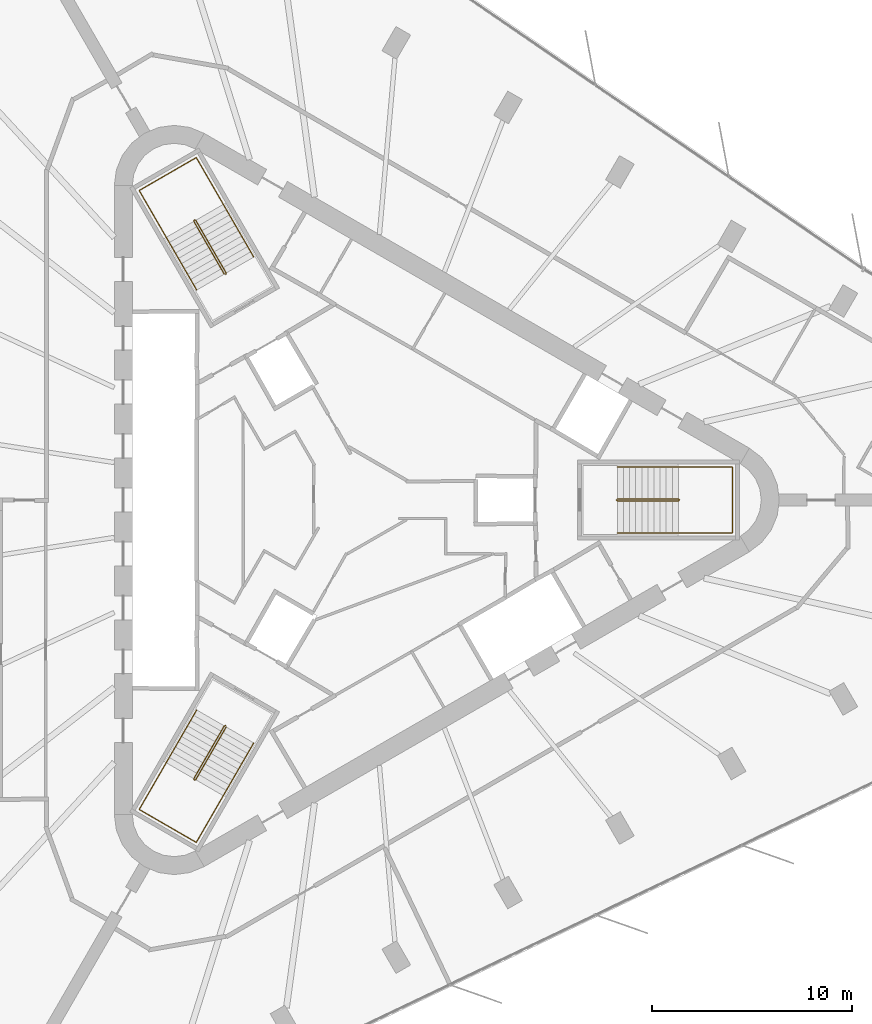
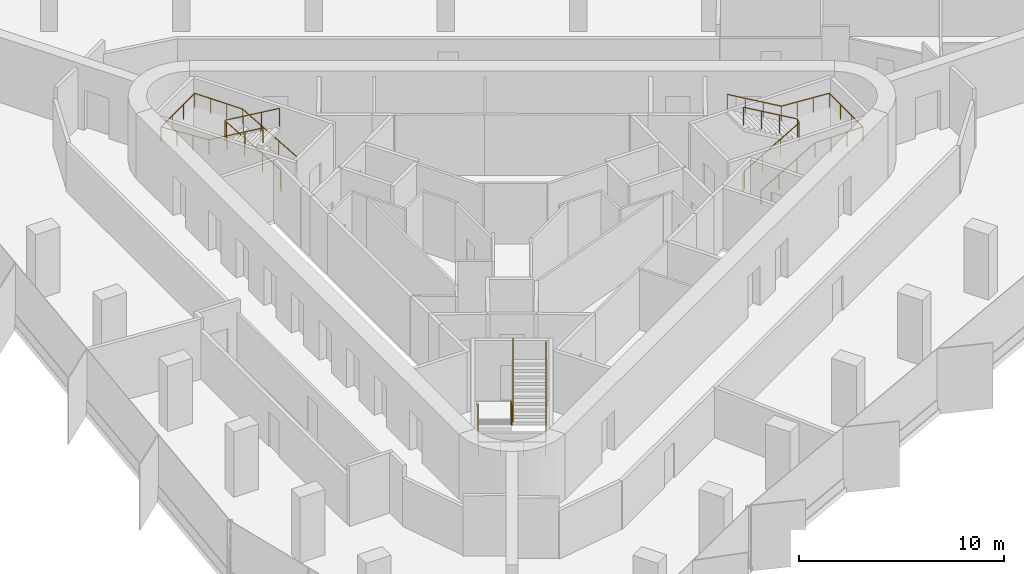
# One storey, part 14 of 14: 6 railings.
"""IFC4 building model written with IfcOpenShell, lengths in metres."""

import ifcopenshell
import ifcopenshell.guid

model = None  # the IFC model being written
_history = None  # IfcOwnerHistory: only IFC2X3 demands one
_inside = {}  # id of a spatial element -> (the spatial element, [elements in it])
_under = {}  # id of a project, library or spatial element -> (it, [spatial elements below it])
_declared = {}  # id of a project -> (the project, [libraries it declares])
_typed = {}  # id of a type object -> (the type object, [elements of that type])
_made_of = {}  # id of a material, layer set ... -> (it, [elements and type objects made of it])


def new_model(schema):
    """Start an empty IFC model of exactly this schema.

    Asked for "IFC4X3", IfcOpenShell would pick the latest addendum, in which some entities
    have other attributes; the version numbers below select the first issue.
    IFC2X3 requires an IfcOwnerHistory on every rooted entity: one is made here for all.
    """
    global model, _history
    if schema == "IFC4X3":
        model = ifcopenshell.file(schema_version=(4, 3, 0, 0))
    else:
        model = ifcopenshell.file(schema=schema)
    _inside.clear()
    _under.clear()
    _declared.clear()
    _typed.clear()
    _made_of.clear()
    _history = None
    if model.schema == "IFC2X3":
        org = make("IfcOrganization", Name="unknown")
        user = make(
            "IfcPersonAndOrganization",
            ThePerson=make("IfcPerson", FamilyName="unknown"),
            TheOrganization=org,
        )
        app = make(
            "IfcApplication",
            ApplicationDeveloper=org,
            Version="unknown",
            ApplicationFullName="unknown",
            ApplicationIdentifier="unknown",
        )
        _history = make(
            "IfcOwnerHistory",
            OwningUser=user,
            OwningApplication=app,
            ChangeAction="ADDED",
            CreationDate=0,
        )
    return model


def make(cls, **values):
    """One entity of the class cls with the attributes given. An attribute that is None is left unset."""
    return model.create_entity(
        cls, **{name: value for name, value in values.items() if value is not None}
    )


def rooted(cls, **values):
    """An entity with a GlobalId (a new one), such as an element, a storey or a relation."""
    return make(cls, GlobalId=ifcopenshell.guid.new(), OwnerHistory=_history, **values)


def si_unit(unit_type, name, prefix=None):
    """IfcSIUnit, for example si_unit("LENGTHUNIT", "METRE", prefix="MILLI")."""
    return make("IfcSIUnit", UnitType=unit_type, Prefix=prefix, Name=name)


def assignment(units):
    """IfcUnitAssignment: the units of a project."""
    return None if units is None else make("IfcUnitAssignment", Units=units)


def point(xyz):
    """IfcCartesianPoint."""
    return None if xyz is None else make("IfcCartesianPoint", Coordinates=xyz)


def direction(xyz):
    """IfcDirection."""
    return None if xyz is None else make("IfcDirection", DirectionRatios=xyz)


def frame(location, z_axis=None, x_axis=None):
    """IfcAxis2Placement3D, a coordinate frame: its origin and axes. An axis left out is left unset."""
    return make(
        "IfcAxis2Placement3D",
        Location=point(location),
        Axis=direction(z_axis),
        RefDirection=direction(x_axis),
    )


def frame_2d(location, x_axis=None):
    """IfcAxis2Placement2D, a coordinate frame in the plane: its origin and x axis."""
    return make(
        "IfcAxis2Placement2D", Location=point(location), RefDirection=direction(x_axis)
    )


def origin():
    """The frame at (0, 0, 0) with its axes left unset."""
    return frame((0.0, 0.0, 0.0))


def origin_2d():
    """The frame at (0, 0) in the plane with its x axis left unset."""
    return frame_2d((0.0, 0.0))


def place(relative_to, where):
    """IfcLocalPlacement: puts the frame where relative to a parent placement (None: the world)."""
    return make(
        "IfcLocalPlacement", PlacementRelTo=relative_to, RelativePlacement=where
    )


def context(
    kind, dimensions, precision=None, world=None, true_north=None, identifier=None
):
    """IfcGeometricRepresentationContext, for example the 3D "Model" context."""
    return make(
        "IfcGeometricRepresentationContext",
        ContextIdentifier=identifier,
        ContextType=kind,
        CoordinateSpaceDimension=dimensions,
        Precision=precision,
        WorldCoordinateSystem=world,
        TrueNorth=true_north,
    )


def subcontext(parent, identifier, kind, view, scale=None):
    """IfcGeometricRepresentationSubContext, for example "Body" below "Model"."""
    return make(
        "IfcGeometricRepresentationSubContext",
        ContextIdentifier=identifier,
        ContextType=kind,
        ParentContext=parent,
        TargetScale=scale,
        TargetView=view,
    )


def project(units=None, contexts=None):
    """IfcProject with its units and contexts."""
    return rooted(
        "IfcProject",
        Name="project",
        RepresentationContexts=contexts,
        UnitsInContext=assignment(units),
    )


def spatial(cls, under=None, at=None, **own):
    """A site, building, storey or space (cls), placed at a placement, below another one or the project."""
    s = rooted(cls, ObjectPlacement=at, **own)
    if under is not None:
        _under.setdefault(under.id(), (under, []))[1].append(s)
    return s


def profile(cls, at=None, kind="AREA", **sizes):
    """A parametric profile (cls). Its sizes go by their IFC names, for example OverallWidth=200.0."""
    return make(cls, ProfileType=kind, Position=at, **sizes)


def circle(**sizes):
    """IfcCircleProfileDef."""
    return profile("IfcCircleProfileDef", **sizes)


def extrude(swept, where, along, depth):
    """IfcExtrudedAreaSolid: the profile swept, set in the frame where, extruded along a direction by depth."""
    return make(
        "IfcExtrudedAreaSolid",
        SweptArea=swept,
        Position=where,
        ExtrudedDirection=direction(along),
        Depth=depth,
    )


def shape(context_of_items, identifier, shape_type, items):
    """IfcShapeRepresentation: the items that make up one representation, for example the "Body"."""
    return make(
        "IfcShapeRepresentation",
        ContextOfItems=context_of_items,
        RepresentationIdentifier=identifier,
        RepresentationType=shape_type,
        Items=items,
    )


def material(Name=None, Category=None):
    """IfcMaterial."""
    return make("IfcMaterial", Name=Name, Category=Category)


def made_of(thing, what):
    """Note that an element or type object is made of a material, layer set ...; save() writes the relation."""
    if what is not None:
        _made_of.setdefault(what.id(), (what, []))[1].append(thing)
    return thing


def type_object(cls, material=None, **own):
    """A type object (cls), such as IfcWallType, which elements share."""
    return made_of(rooted(cls, **own), material)


def element(
    cls,
    number,
    at=None,
    inside=None,
    cuts=None,
    type_object=None,
    material=None,
    context=None,
    identifier="Body",
    shape_type=None,
    held_by="IfcProductDefinitionShape",
    body=None,
    shapes=None,
    **own,
):
    """One element of the class cls, such as IfcWall. Its Tag is "e" and its number.

    at: its placement. inside: the storey or other place that contains it. cuts: it is an
    opening in that element (IfcRelVoidsElement). A single representation is given by context,
    identifier, shape_type and body (its items); several are given by shapes. held_by: the class
    of the entity that holds the representations. save() writes the other relations.
    """
    e = rooted(cls, Tag="e%d" % number, ObjectPlacement=at, **own)
    if body is not None:
        shapes = [shape(context, identifier, shape_type, body)]
    if shapes is not None:
        e.Representation = make(held_by, Representations=shapes)
    if inside is not None:
        _inside.setdefault(inside.id(), (inside, []))[1].append(e)
    if cuts is not None:
        rooted(
            "IfcRelVoidsElement", RelatingBuildingElement=cuts, RelatedOpeningElement=e
        )
    if type_object is not None:
        _typed.setdefault(type_object.id(), (type_object, []))[1].append(e)
    return made_of(e, material)


def aggregate(whole, parts):
    """IfcRelAggregates: a whole, such as a stair, and the parts it consists of."""
    return rooted("IfcRelAggregates", RelatingObject=whole, RelatedObjects=parts)


def save(model, path):
    """Write the relations noted so far, then the file.

    IfcRelAggregates (storeys below a building ...), IfcRelContainedInSpatialStructure (elements
    in a storey), IfcRelDefinesByType, IfcRelAssociatesMaterial and IfcRelDeclares: one each for
    every whole, place, type object, material and project.
    """
    for whole, parts in _under.values():
        aggregate(whole, parts)
    for where, things in _inside.values():
        rooted(
            "IfcRelContainedInSpatialStructure",
            RelatedElements=things,
            RelatingStructure=where,
        )
    for kind, things in _typed.values():
        rooted("IfcRelDefinesByType", RelatedObjects=things, RelatingType=kind)
    for what, things in _made_of.values():
        rooted("IfcRelAssociatesMaterial", RelatedObjects=things, RelatingMaterial=what)
    for by, libraries in _declared.values():
        rooted("IfcRelDeclares", RelatingContext=by, RelatedDefinitions=libraries)
    model.write(path)


model = new_model("IFC4")

# Units and contexts
model_context = context("Model", 3, precision=1e-05, world=origin(), true_north=direction((0.0, 1.0)))
body_context = subcontext(model_context, "Body", "Model", "MODEL_VIEW")
ifc_project = project(units=[si_unit("LENGTHUNIT", "METRE"), si_unit("AREAUNIT", "SQUARE_METRE"), si_unit("VOLUMEUNIT", "CUBIC_METRE"), si_unit("PLANEANGLEUNIT", "RADIAN"), si_unit("MASSUNIT", "GRAM", prefix="KILO")], contexts=[model_context])

# Site, building, storey
site_placement = place(None, origin())
site = spatial("IfcSite", under=ifc_project, at=site_placement, CompositionType="ELEMENT")
building_placement = place(site_placement, origin())
building = spatial("IfcBuilding", under=site, at=building_placement, Name="Tanit Gate Tower", CompositionType="ELEMENT")
storey_placement = place(building_placement, frame((0.0, 0.0, 302.60009765625)))
storey = spatial("IfcBuildingStorey", under=building, at=storey_placement, Name="L67", CompositionType="ELEMENT", Elevation=302.60009765625)

# Railings
ifc_material_1 = material(Name="Stainless steel balustrade", Category="steel")
railing_type_1 = type_object("IfcRailingType", Name="INT-STAIR-GUARD", PredefinedType="GUARDRAIL", material=ifc_material_1)
railing_1_placement = place(storey_placement, frame((13.044921875, 0.0048828125, 0.0)))
element("IfcRailing", 1, at=railing_1_placement, inside=storey, type_object=railing_type_1, Name="L67 S1 stair guard 1", PredefinedType="GUARDRAIL", context=body_context, shape_type="SweptSolid", body=[
    extrude(circle(Radius=0.02392578125, at=origin_2d()), frame((0.0, 0.0, 1.076171875), z_axis=(0.0, -1.0, 0.0), x_axis=(1.0, 0.0, 0.0)), (0.0, 0.0, 1.0), 0.009765625),
    extrude(circle(Radius=0.02392578125, at=origin_2d()), frame((0.0, -0.009765625, 1.076171875), z_axis=(0.262233686654, -0.262233686654, 0.928691007369), x_axis=(0.707106781187, 0.707106781187, 0.0)), (0.0, 0.0, 1.0), 0.19091796875),
    extrude(circle(Radius=0.02392578125, at=origin_2d()), frame((0.050048828125, -0.059814453125, 1.25341796875), z_axis=(0.864648382064, 0.0, 0.502377522779), x_axis=(0.0, 1.0, 0.0)), (0.0, 0.0, 1.0), 3.528564453125),
    extrude(circle(Radius=0.02392578125, at=origin_2d()), frame((3.10107421875, -0.059814453125, 3.02587890625), z_axis=(0.707106781187, 0.707106781187, 0.0), x_axis=(-0.707106781187, 0.707106781187, 0.0)), (0.0, 0.0, 1.0), 0.07080078125),
    extrude(circle(Radius=0.02392578125, at=origin_2d()), frame((3.151123046875, -0.009765625, 3.02587890625), z_axis=(0.0, 1.0, 0.0), x_axis=(-1.0, 0.0, 0.0)), (0.0, 0.0, 1.0), 0.009765625),
    extrude(circle(Radius=0.02392578125, at=origin_2d()), frame((3.151123046875, 0.0, 3.02587890625), z_axis=(-0.262233686654, 0.262233686654, 0.928691007369), x_axis=(-0.707106781187, -0.707106781187, 0.0)), (0.0, 0.0, 1.0), 0.19091796875),
    extrude(circle(Radius=0.02392578125, at=origin_2d()), frame((3.10107421875, 0.050048828125, 3.203125), z_axis=(-0.864648382064, 0.0, 0.502377522779), x_axis=(0.0, -1.0, 0.0)), (0.0, 0.0, 1.0), 3.528564453125),
    extrude(circle(Radius=0.02099609375, at=origin_2d()), origin(), (0.0, 0.0, 1.0), 1.052001953125),
    extrude(circle(Radius=0.02099609375, at=origin_2d()), frame((0.0, -0.009765625, 0.0)), (0.0, 0.0, 1.0), 1.052001953125),
    extrude(circle(Radius=0.02099609375, at=origin_2d()), frame((0.050048828125, -0.059814453125, 0.17724609375)), (0.0, 0.0, 1.0), 1.052001953125),
    extrude(circle(Radius=0.02099609375, at=origin_2d()), frame((1.067138671875, -0.059814453125, 0.76806640625)), (0.0, 0.0, 1.0), 1.052001953125),
    extrude(circle(Radius=0.02099609375, at=origin_2d()), frame((2.083984375, -0.059814453125, 1.359130859375)), (0.0, 0.0, 1.0), 1.052001953125),
    extrude(circle(Radius=0.02099609375, at=origin_2d()), frame((3.10107421875, -0.059814453125, 1.949951171875)), (0.0, 0.0, 1.0), 1.052001953125),
    extrude(circle(Radius=0.02099609375, at=origin_2d()), frame((3.151123046875, -0.009765625, 1.949951171875)), (0.0, 0.0, 1.0), 1.052001953125),
    extrude(circle(Radius=0.02099609375, at=origin_2d()), frame((3.151123046875, 0.0, 1.949951171875)), (0.0, 0.0, 1.0), 1.052001953125),
    extrude(circle(Radius=0.02099609375, at=origin_2d()), frame((3.10107421875, 0.050048828125, 2.127197265625)), (0.0, 0.0, 1.0), 1.052001953125),
    extrude(circle(Radius=0.02099609375, at=origin_2d()), frame((2.083984375, 0.050048828125, 2.718017578125)), (0.0, 0.0, 1.0), 1.052001953125),
    extrude(circle(Radius=0.02099609375, at=origin_2d()), frame((1.067138671875, 0.050048828125, 3.30908203125)), (0.0, 0.0, 1.0), 1.052001953125),
    extrude(circle(Radius=0.02099609375, at=origin_2d()), frame((0.050048828125, 0.050048828125, 3.89990234375)), (0.0, 0.0, 1.0), 1.052001953125),
])
railing_2_placement = place(storey_placement, frame((-6.527099609375, 11.29345703125, 0.0)))
element("IfcRailing", 2, at=railing_2_placement, inside=storey, type_object=railing_type_1, Name="L67 S2 stair guard 1", PredefinedType="GUARDRAIL", context=body_context, shape_type="SweptSolid", body=[
    extrude(circle(Radius=0.02392578125, at=origin_2d()), frame((0.0, 0.0, 1.076171875), z_axis=(0.868243142124, 0.496138938357, 0.0), x_axis=(-0.496138938357, 0.868243142124, 0.0)), (0.0, 0.0, 1.0), 0.01171875),
    extrude(circle(Radius=0.02392578125, at=origin_2d()), frame((0.01025390625, 0.005859375, 1.076171875), z_axis=(0.095941116058, 0.358180166617, 0.928710003441), x_axis=(-0.965948051503, 0.258736085224, 0.0)), (0.0, 0.0, 1.0), 0.19091796875),
    extrude(circle(Radius=0.02392578125, at=origin_2d()), frame((0.028564453125, 0.07421875, 1.25341796875), z_axis=(-0.4322777601, 0.748681545756, 0.50260509465), x_axis=(-0.866012246495, -0.500022788402, 0.0)), (0.0, 0.0, 1.0), 3.527099609375),
    extrude(circle(Radius=0.02392578125, at=origin_2d()), frame((-1.49609375, 2.71484375, 3.02587890625), z_axis=(-0.965715946433, 0.259601060869, 0.0), x_axis=(-0.259601060869, -0.965715946433, 0.0)), (0.0, 0.0, 1.0), 0.070556640625),
    extrude(circle(Radius=0.02392578125, at=origin_2d()), frame((-1.564208984375, 2.733154296875, 3.02587890625), z_axis=(-0.873197702015, -0.487366159264, 0.0), x_axis=(0.487366159264, -0.873197702015, 0.0)), (0.0, 0.0, 1.0), 0.011962890625),
    extrude(circle(Radius=0.02392578125, at=origin_2d()), frame((-1.57470703125, 2.727294921875, 3.02587890625), z_axis=(-0.095941116058, -0.358180166617, 0.928710003441), x_axis=(0.965948051503, -0.258736085224, 0.0)), (0.0, 0.0, 1.0), 0.19091796875),
    extrude(circle(Radius=0.02392578125, at=origin_2d()), frame((-1.593017578125, 2.658935546875, 3.203125), z_axis=(0.4322777601, -0.748681545756, 0.50260509465), x_axis=(0.866012246495, 0.500022788402, 0.0)), (0.0, 0.0, 1.0), 3.527099609375),
    extrude(circle(Radius=0.02099609375, at=origin_2d()), origin(), (0.0, 0.0, 1.0), 1.052001953125),
    extrude(circle(Radius=0.02099609375, at=origin_2d()), frame((0.01025390625, 0.005859375, 0.0)), (0.0, 0.0, 1.0), 1.052001953125),
    extrude(circle(Radius=0.02099609375, at=origin_2d()), frame((0.028564453125, 0.07421875, 0.17724609375)), (0.0, 0.0, 1.0), 1.052001953125),
    extrude(circle(Radius=0.02099609375, at=origin_2d()), frame((-0.479736328125, 0.954345703125, 0.76806640625)), (0.0, 0.0, 1.0), 1.052001953125),
    extrude(circle(Radius=0.02099609375, at=origin_2d()), frame((-0.98779296875, 1.834716796875, 1.359130859375)), (0.0, 0.0, 1.0), 1.052001953125),
    extrude(circle(Radius=0.02099609375, at=origin_2d()), frame((-1.49609375, 2.71484375, 1.949951171875)), (0.0, 0.0, 1.0), 1.052001953125),
    extrude(circle(Radius=0.02099609375, at=origin_2d()), frame((-1.564208984375, 2.733154296875, 1.949951171875)), (0.0, 0.0, 1.0), 1.052001953125),
    extrude(circle(Radius=0.02099609375, at=origin_2d()), frame((-1.57470703125, 2.727294921875, 1.949951171875)), (0.0, 0.0, 1.0), 1.052001953125),
    extrude(circle(Radius=0.02099609375, at=origin_2d()), frame((-1.593017578125, 2.658935546875, 2.127197265625)), (0.0, 0.0, 1.0), 1.052001953125),
    extrude(circle(Radius=0.02099609375, at=origin_2d()), frame((-1.084716796875, 1.77880859375, 2.718017578125)), (0.0, 0.0, 1.0), 1.052001953125),
    extrude(circle(Radius=0.02099609375, at=origin_2d()), frame((-0.57666015625, 0.8984375, 3.30908203125)), (0.0, 0.0, 1.0), 1.052001953125),
    extrude(circle(Radius=0.02099609375, at=origin_2d()), frame((-0.068359375, 0.018310546875, 3.89990234375)), (0.0, 0.0, 1.0), 1.052001953125),
])
railing_3_placement = place(storey_placement, frame((-6.51806640625, -11.2998046875, 0.0)))
element("IfcRailing", 3, at=railing_3_placement, inside=storey, type_object=railing_type_1, Name="L67 S3 stair guard 1", PredefinedType="GUARDRAIL", context=body_context, shape_type="SweptSolid", body=[
    extrude(circle(Radius=0.02392578125, at=origin_2d()), frame((0.0, 0.0, 1.076171875), z_axis=(-0.874157276122, 0.485642931179, 0.0), x_axis=(-0.485642931179, -0.874157276122, 0.0)), (0.0, 0.0, 1.0), 0.010009765625),
    extrude(circle(Radius=0.02392578125, at=origin_2d()), frame((-0.0087890625, 0.0048828125, 1.076171875), z_axis=(-0.358223840744, -0.094673443625, 0.928823244215), x_axis=(0.255512919477, -0.966805641264, 0.0)), (0.0, 0.0, 1.0), 0.19091796875),
    extrude(circle(Radius=0.02392578125, at=origin_2d()), frame((-0.0771484375, -0.01318359375, 1.25341796875), z_axis=(-0.432289778901, -0.748827189027, 0.502377734411), x_axis=(0.866048339477, -0.499960272111, 0.0)), (0.0, 0.0, 1.0), 3.528564453125),
    extrude(circle(Radius=0.02392578125, at=origin_2d()), frame((-1.6025390625, -2.655517578125, 3.02587890625), z_axis=(0.258736085224, -0.965948051503, 0.0), x_axis=(0.965948051503, 0.258736085224, 0.0)), (0.0, 0.0, 1.0), 0.07080078125),
    extrude(circle(Radius=0.02392578125, at=origin_2d()), frame((-1.584228515625, -2.723876953125, 3.02587890625), z_axis=(0.868243142124, -0.496138938357, 0.0), x_axis=(0.496138938357, 0.868243142124, 0.0)), (0.0, 0.0, 1.0), 0.009765625),
    extrude(circle(Radius=0.02392578125, at=origin_2d()), frame((-1.57568359375, -2.728759765625, 3.02587890625), z_axis=(0.358180166617, 0.095941116058, 0.928710003441), x_axis=(-0.258736085224, 0.965948051503, 0.0)), (0.0, 0.0, 1.0), 0.19091796875),
    extrude(circle(Radius=0.02392578125, at=origin_2d()), frame((-1.50732421875, -2.71044921875, 3.203125), z_axis=(0.432368434633, 0.748774395838, 0.502388734816), x_axis=(-0.865993683553, 0.500054937028, 0.0)), (0.0, 0.0, 1.0), 3.528564453125),
    extrude(circle(Radius=0.02099609375, at=origin_2d()), origin(), (0.0, 0.0, 1.0), 1.052001953125),
    extrude(circle(Radius=0.02099609375, at=origin_2d()), frame((-0.0087890625, 0.0048828125, 0.0)), (0.0, 0.0, 1.0), 1.052001953125),
    extrude(circle(Radius=0.02099609375, at=origin_2d()), frame((-0.0771484375, -0.01318359375, 0.17724609375)), (0.0, 0.0, 1.0), 1.052001953125),
    extrude(circle(Radius=0.02099609375, at=origin_2d()), frame((-0.585693359375, -0.89404296875, 0.76806640625)), (0.0, 0.0, 1.0), 1.052001953125),
    extrude(circle(Radius=0.02099609375, at=origin_2d()), frame((-1.093994140625, -1.774658203125, 1.359130859375)), (0.0, 0.0, 1.0), 1.052001953125),
    extrude(circle(Radius=0.02099609375, at=origin_2d()), frame((-1.6025390625, -2.655517578125, 1.949951171875)), (0.0, 0.0, 1.0), 1.052001953125),
    extrude(circle(Radius=0.02099609375, at=origin_2d()), frame((-1.584228515625, -2.723876953125, 1.949951171875)), (0.0, 0.0, 1.0), 1.052001953125),
    extrude(circle(Radius=0.02099609375, at=origin_2d()), frame((-1.57568359375, -2.728759765625, 1.949951171875)), (0.0, 0.0, 1.0), 1.052001953125),
    extrude(circle(Radius=0.02099609375, at=origin_2d()), frame((-1.50732421875, -2.71044921875, 2.127197265625)), (0.0, 0.0, 1.0), 1.052001953125),
    extrude(circle(Radius=0.02099609375, at=origin_2d()), frame((-0.998779296875, -1.829833984375, 2.718017578125)), (0.0, 0.0, 1.0), 1.052001953125),
    extrude(circle(Radius=0.02099609375, at=origin_2d()), frame((-0.490234375, -0.948974609375, 3.30908203125)), (0.0, 0.0, 1.0), 1.052001953125),
    extrude(circle(Radius=0.02099609375, at=origin_2d()), frame((0.018310546875, -0.068359375, 3.89990234375)), (0.0, 0.0, 1.0), 1.052001953125),
])
ifc_material_2 = material(Name="Stainless steel handrail", Category="steel")
railing_type_2 = type_object("IfcRailingType", Name="INT-STAIR-HANDRAIL", PredefinedType="HANDRAIL", material=ifc_material_2)
railing_4_placement = place(storey_placement, frame((13.094970703125, -1.64990234375, 0.17724609375)))
element("IfcRailing", 4, at=railing_4_placement, inside=storey, type_object=railing_type_2, Name="L67 S1 stair handrail 1", PredefinedType="HANDRAIL", context=body_context, shape_type="SweptSolid", body=[
    extrude(circle(Radius=0.02392578125, at=origin_2d()), frame((0.0, 0.0, 0.8759765625), z_axis=(0.864648382064, 0.0, 0.502377522779), x_axis=(0.0, 1.0, 0.0)), (0.0, 0.0, 1.0), 3.528564453125),
    extrude(circle(Radius=0.02392578125, at=origin_2d()), frame((3.051025390625, 0.0, 2.6484375), z_axis=(1.0, 0.0, 0.0), x_axis=(0.0, 1.0, 0.0)), (0.0, 0.0, 1.0), 2.7041015625),
    extrude(circle(Radius=0.02392578125, at=origin_2d()), frame((5.755126953125, 0.0, 2.6484375), z_axis=(0.0, 1.0, 0.0), x_axis=(-1.0, 0.0, 0.0)), (0.0, 0.0, 1.0), 3.2998046875),
    extrude(circle(Radius=0.02392578125, at=origin_2d()), frame((5.755126953125, 3.2998046875, 2.6484375), z_axis=(-0.997858684482, 0.0, 0.065406771843), x_axis=(0.0, -1.0, 0.0)), (0.0, 0.0, 1.0), 2.7099609375),
    extrude(circle(Radius=0.02392578125, at=origin_2d()), frame((3.051025390625, 3.2998046875, 2.82568359375), z_axis=(-0.864648382064, 0.0, 0.502377522779), x_axis=(0.0, -1.0, 0.0)), (0.0, 0.0, 1.0), 3.528564453125),
    extrude(circle(Radius=0.02099609375, at=origin_2d()), origin(), (0.0, 0.0, 1.0), 0.851806640625),
    extrude(circle(Radius=0.02099609375, at=origin_2d()), frame((1.01708984375, 0.0, 0.5908203125)), (0.0, 0.0, 1.0), 0.851806640625),
    extrude(circle(Radius=0.02099609375, at=origin_2d()), frame((2.033935546875, 0.0, 1.181884765625)), (0.0, 0.0, 1.0), 0.851806640625),
    extrude(circle(Radius=0.02099609375, at=origin_2d()), frame((3.051025390625, 0.0, 1.772705078125)), (0.0, 0.0, 1.0), 0.851806640625),
    extrude(circle(Radius=0.02099609375, at=origin_2d()), frame((3.952392578125, 0.0, 1.772705078125)), (0.0, 0.0, 1.0), 0.851806640625),
    extrude(circle(Radius=0.02099609375, at=origin_2d()), frame((4.853759765625, 0.0, 1.772705078125)), (0.0, 0.0, 1.0), 0.851806640625),
    extrude(circle(Radius=0.02099609375, at=origin_2d()), frame((5.755126953125, 0.0, 1.772705078125)), (0.0, 0.0, 1.0), 0.851806640625),
    extrude(circle(Radius=0.02099609375, at=origin_2d()), frame((5.755126953125, 1.099853515625, 1.772705078125)), (0.0, 0.0, 1.0), 0.851806640625),
    extrude(circle(Radius=0.02099609375, at=origin_2d()), frame((5.755126953125, 2.199951171875, 1.772705078125)), (0.0, 0.0, 1.0), 0.851806640625),
    extrude(circle(Radius=0.02099609375, at=origin_2d()), frame((5.755126953125, 3.2998046875, 1.772705078125)), (0.0, 0.0, 1.0), 0.851806640625),
    extrude(circle(Radius=0.02099609375, at=origin_2d()), frame((4.853759765625, 3.2998046875, 1.831787109375)), (0.0, 0.0, 1.0), 0.851806640625),
    extrude(circle(Radius=0.02099609375, at=origin_2d()), frame((3.952392578125, 3.2998046875, 1.890869140625)), (0.0, 0.0, 1.0), 0.851806640625),
    extrude(circle(Radius=0.02099609375, at=origin_2d()), frame((3.051025390625, 3.2998046875, 1.949951171875)), (0.0, 0.0, 1.0), 0.851806640625),
    extrude(circle(Radius=0.02099609375, at=origin_2d()), frame((2.033935546875, 3.2998046875, 2.540771484375)), (0.0, 0.0, 1.0), 0.851806640625),
    extrude(circle(Radius=0.02099609375, at=origin_2d()), frame((1.01708984375, 3.2998046875, 3.1318359375)), (0.0, 0.0, 1.0), 0.851806640625),
    extrude(circle(Radius=0.02099609375, at=origin_2d()), frame((0.0, 3.2998046875, 3.72265625)), (0.0, 0.0, 1.0), 0.851806640625),
])
railing_5_placement = place(storey_placement, frame((-5.1181640625, 12.164794921875, 0.17724609375)))
element("IfcRailing", 5, at=railing_5_placement, inside=storey, type_object=railing_type_2, Name="L67 S2 stair handrail 1", PredefinedType="HANDRAIL", context=body_context, shape_type="SweptSolid", body=[
    extrude(circle(Radius=0.02392578125, at=origin_2d()), frame((0.0, 0.0, 0.8759765625), z_axis=(-0.432221472453, 0.748703947157, 0.502620133164), x_axis=(-0.866046917185, -0.499962735845, 0.0)), (0.0, 0.0, 1.0), 3.52685546875),
    extrude(circle(Radius=0.02392578125, at=origin_2d()), frame((-1.5244140625, 2.640625, 2.6484375), z_axis=(-0.500019123664, 0.86601436245, 0.0), x_axis=(-0.86601436245, -0.500019123664, 0.0)), (0.0, 0.0, 1.0), 2.70703125),
    extrude(circle(Radius=0.02392578125, at=origin_2d()), frame((-2.8779296875, 4.98486328125, 2.6484375), z_axis=(-0.866008176907, -0.50002983664, 0.0), x_axis=(0.50002983664, -0.866008176907, 0.0)), (0.0, 0.0, 1.0), 3.300048828125),
    extrude(circle(Radius=0.02392578125, at=origin_2d()), frame((-5.73583984375, 3.334716796875, 2.6484375), z_axis=(0.498989459885, -0.864141018102, 0.065343857842), x_axis=(0.865991810323, 0.500058181068, 0.0)), (0.0, 0.0, 1.0), 2.71240234375),
    extrude(circle(Radius=0.02392578125, at=origin_2d()), frame((-4.38232421875, 0.99072265625, 2.82568359375), z_axis=(0.432255358616, -0.748711963836, 0.502579048665), x_axis=(0.866032263162, 0.499988119021, 0.0)), (0.0, 0.0, 1.0), 3.527099609375),
    extrude(circle(Radius=0.02099609375, at=origin_2d()), origin(), (0.0, 0.0, 1.0), 0.851806640625),
    extrude(circle(Radius=0.02099609375, at=origin_2d()), frame((-0.508056640625, 0.880126953125, 0.5908203125)), (0.0, 0.0, 1.0), 0.851806640625),
    extrude(circle(Radius=0.02099609375, at=origin_2d()), frame((-1.016357421875, 1.760498046875, 1.181884765625)), (0.0, 0.0, 1.0), 0.851806640625),
    extrude(circle(Radius=0.02099609375, at=origin_2d()), frame((-1.5244140625, 2.640625, 1.772705078125)), (0.0, 0.0, 1.0), 0.851806640625),
    extrude(circle(Radius=0.02099609375, at=origin_2d()), frame((-1.9755859375, 3.422119140625, 1.772705078125)), (0.0, 0.0, 1.0), 0.851806640625),
    extrude(circle(Radius=0.02099609375, at=origin_2d()), frame((-2.4267578125, 4.203369140625, 1.772705078125)), (0.0, 0.0, 1.0), 0.851806640625),
    extrude(circle(Radius=0.02099609375, at=origin_2d()), frame((-2.8779296875, 4.98486328125, 1.772705078125)), (0.0, 0.0, 1.0), 0.851806640625),
    extrude(circle(Radius=0.02099609375, at=origin_2d()), frame((-3.83056640625, 4.434814453125, 1.772705078125)), (0.0, 0.0, 1.0), 0.851806640625),
    extrude(circle(Radius=0.02099609375, at=origin_2d()), frame((-4.783203125, 3.884765625, 1.772705078125)), (0.0, 0.0, 1.0), 0.851806640625),
    extrude(circle(Radius=0.02099609375, at=origin_2d()), frame((-5.73583984375, 3.334716796875, 1.772705078125)), (0.0, 0.0, 1.0), 0.851806640625),
    extrude(circle(Radius=0.02099609375, at=origin_2d()), frame((-5.28466796875, 2.553466796875, 1.831787109375)), (0.0, 0.0, 1.0), 0.851806640625),
    extrude(circle(Radius=0.02099609375, at=origin_2d()), frame((-4.83349609375, 1.77197265625, 1.890869140625)), (0.0, 0.0, 1.0), 0.851806640625),
    extrude(circle(Radius=0.02099609375, at=origin_2d()), frame((-4.38232421875, 0.99072265625, 1.949951171875)), (0.0, 0.0, 1.0), 0.851806640625),
    extrude(circle(Radius=0.02099609375, at=origin_2d()), frame((-3.8740234375, 0.1103515625, 2.540771484375)), (0.0, 0.0, 1.0), 0.851806640625),
    extrude(circle(Radius=0.02099609375, at=origin_2d()), frame((-3.365966796875, -0.769775390625, 3.1318359375)), (0.0, 0.0, 1.0), 0.851806640625),
    extrude(circle(Radius=0.02099609375, at=origin_2d()), frame((-2.857666015625, -1.650146484375, 3.72265625)), (0.0, 0.0, 1.0), 0.851806640625),
])
railing_6_placement = place(storey_placement, frame((-7.9765625, -10.515625, 0.17724609375)))
element("IfcRailing", 6, at=railing_6_placement, inside=storey, type_object=railing_type_2, Name="L67 S3 stair handrail 1", PredefinedType="HANDRAIL", context=body_context, shape_type="SweptSolid", body=[
    extrude(circle(Radius=0.02392578125, at=origin_2d()), frame((0.0, 0.0, 0.8759765625), z_axis=(-0.432289778901, -0.748827189027, 0.502377734411), x_axis=(0.866048339477, -0.499960272111, 0.0)), (0.0, 0.0, 1.0), 3.528564453125),
    extrude(circle(Radius=0.02392578125, at=origin_2d()), frame((-1.525390625, -2.642333984375, 2.6484375), z_axis=(-0.50004290449, -0.866000631449, 0.0), x_axis=(0.866000631449, -0.50004290449, 0.0)), (0.0, 0.0, 1.0), 2.703857421875),
    extrude(circle(Radius=0.02392578125, at=origin_2d()), frame((-2.87744140625, -4.98388671875, 2.6484375), z_axis=(0.866008176907, -0.50002983664, 0.0), x_axis=(0.50002983664, 0.866008176907, 0.0)), (0.0, 0.0, 1.0), 3.300048828125),
    extrude(circle(Radius=0.02392578125, at=origin_2d()), frame((-0.01953125, -6.634033203125, 2.6484375), z_axis=(0.498933124603, 0.864168748861, 0.065407267689), x_axis=(-0.866023205937, 0.500003806764, 0.0)), (0.0, 0.0, 1.0), 2.7099609375),
    extrude(circle(Radius=0.02392578125, at=origin_2d()), frame((1.33251953125, -4.292236328125, 2.82568359375), z_axis=(0.432289778901, 0.748827189027, 0.502377734411), x_axis=(-0.866048339477, 0.499960272111, 0.0)), (0.0, 0.0, 1.0), 3.528564453125),
    extrude(circle(Radius=0.02099609375, at=origin_2d()), origin(), (0.0, 0.0, 1.0), 0.851806640625),
    extrude(circle(Radius=0.02099609375, at=origin_2d()), frame((-0.508544921875, -0.880859375, 0.5908203125)), (0.0, 0.0, 1.0), 0.851806640625),
    extrude(circle(Radius=0.02099609375, at=origin_2d()), frame((-1.016845703125, -1.761474609375, 1.181884765625)), (0.0, 0.0, 1.0), 0.851806640625),
    extrude(circle(Radius=0.02099609375, at=origin_2d()), frame((-1.525390625, -2.642333984375, 1.772705078125)), (0.0, 0.0, 1.0), 0.851806640625),
    extrude(circle(Radius=0.02099609375, at=origin_2d()), frame((-1.97607421875, -3.4228515625, 1.772705078125)), (0.0, 0.0, 1.0), 0.851806640625),
    extrude(circle(Radius=0.02099609375, at=origin_2d()), frame((-2.4267578125, -4.203369140625, 1.772705078125)), (0.0, 0.0, 1.0), 0.851806640625),
    extrude(circle(Radius=0.02099609375, at=origin_2d()), frame((-2.87744140625, -4.98388671875, 1.772705078125)), (0.0, 0.0, 1.0), 0.851806640625),
    extrude(circle(Radius=0.02099609375, at=origin_2d()), frame((-1.9248046875, -5.533935546875, 1.772705078125)), (0.0, 0.0, 1.0), 0.851806640625),
    extrude(circle(Radius=0.02099609375, at=origin_2d()), frame((-0.97216796875, -6.083984375, 1.772705078125)), (0.0, 0.0, 1.0), 0.851806640625),
    extrude(circle(Radius=0.02099609375, at=origin_2d()), frame((-0.01953125, -6.634033203125, 1.772705078125)), (0.0, 0.0, 1.0), 0.851806640625),
    extrude(circle(Radius=0.02099609375, at=origin_2d()), frame((0.43115234375, -5.853515625, 1.831787109375)), (0.0, 0.0, 1.0), 0.851806640625),
    extrude(circle(Radius=0.02099609375, at=origin_2d()), frame((0.8818359375, -5.07275390625, 1.890869140625)), (0.0, 0.0, 1.0), 0.851806640625),
    extrude(circle(Radius=0.02099609375, at=origin_2d()), frame((1.33251953125, -4.292236328125, 1.949951171875)), (0.0, 0.0, 1.0), 0.851806640625),
    extrude(circle(Radius=0.02099609375, at=origin_2d()), frame((1.841064453125, -3.411376953125, 2.540771484375)), (0.0, 0.0, 1.0), 0.851806640625),
    extrude(circle(Radius=0.02099609375, at=origin_2d()), frame((2.349365234375, -2.53076171875, 3.1318359375)), (0.0, 0.0, 1.0), 0.851806640625),
    extrude(circle(Radius=0.02099609375, at=origin_2d()), frame((2.85791015625, -1.64990234375, 3.72265625)), (0.0, 0.0, 1.0), 0.851806640625),
])

save(model, "model.ifc")
